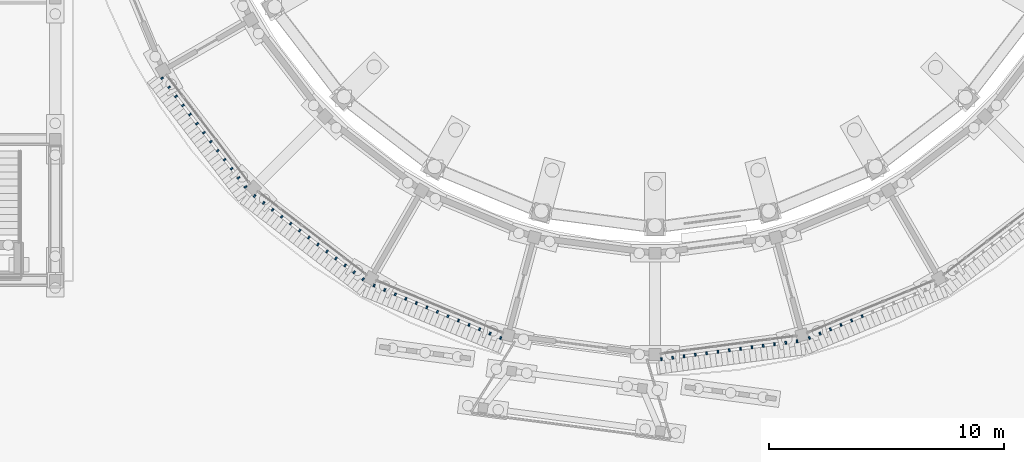
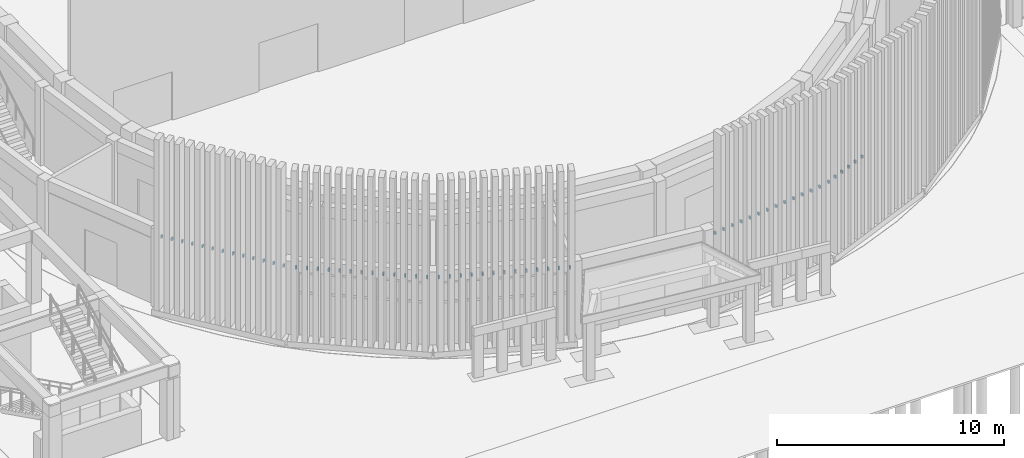
# One storey, part 82 of 112: 58 discrete accessories.
"""IFC4 building model written with IfcOpenShell, lengths in metres."""

from ifc_helpers import new_model, si_unit, direction, frame, origin, origin_2d, place, context, subcontext, project, spatial, rectangle, extrude, material, type_object, element, save


model = new_model("IFC4")

# Units and contexts
model_context = context("Model", 3, precision=1e-05, world=origin(), true_north=direction((0.0, 1.0)))
body_context = subcontext(model_context, "Body", "Model", "MODEL_VIEW")
ifc_project = project(units=[si_unit("LENGTHUNIT", "METRE"), si_unit("AREAUNIT", "SQUARE_METRE"), si_unit("VOLUMEUNIT", "CUBIC_METRE"), si_unit("PLANEANGLEUNIT", "RADIAN"), si_unit("MASSUNIT", "GRAM", prefix="KILO")], contexts=[model_context])

# Site, building, storey
site_placement = place(None, origin())
site = spatial("IfcSite", under=ifc_project, at=site_placement, CompositionType="ELEMENT")
building_placement = place(site_placement, origin())
building = spatial("IfcBuilding", under=site, at=building_placement, Name="Wasatch Bagh Community Centre", CompositionType="ELEMENT")
storey_placement = place(building_placement, origin())
storey = spatial("IfcBuildingStorey", under=building, at=storey_placement, Name="L00", CompositionType="ELEMENT", Elevation=0.0)

# Discrete accessories
ifc_material = material(Name="ASTM A36 steel", Category="steel")
discrete_accessory_type = type_object("IfcDiscreteAccessoryType", Name="Drum fin bracket", PredefinedType="BRACKET", material=ifc_material)
for number, where, z_axis, x_axis, name in (
    (1, (15.046630859375, 22.589599609375, 3.824951171875), (0.0, 0.0, 1.0), (0.608761429009, -0.793353340291, 0.0), "Fin bracket 3.1.1"),
    (2, (15.341796875, 22.204833984375, 3.824951171875), (0.0, 0.0, 1.0), (0.608761429009, -0.793353340291, 0.0), "Fin bracket 3.2.1"),
    (3, (15.63720703125, 21.820068359375, 3.824951171875), (0.0, 0.0, 1.0), (0.608761429009, -0.793353340291, 0.0), "Fin bracket 3.3.1"),
    (4, (15.932373046875, 21.435302734375, 3.824951171875), (0.0, 0.0, 1.0), (0.608761429009, -0.793353340291, 0.0), "Fin bracket 3.4.1"),
    (5, (16.2275390625, 21.050537109375, 3.824951171875), (0.0, 0.0, 1.0), (0.608761429009, -0.793353340291, 0.0), "Fin bracket 3.5.1"),
    (6, (16.522705078125, 20.665771484375, 3.824951171875), (0.0, 0.0, 1.0), (0.608761429009, -0.793353340291, 0.0), "Fin bracket 3.6.1"),
    (7, (16.81787109375, 20.281005859375, 3.824951171875), (0.0, 0.0, 1.0), (0.608761429009, -0.793353340291, 0.0), "Fin bracket 3.7.1"),
    (8, (17.11328125, 19.896484375, 3.824951171875), (0.0, 0.0, 1.0), (0.608761429009, -0.793353340291, 0.0), "Fin bracket 3.8.1"),
    (9, (17.408447265625, 19.51171875, 3.824951171875), (0.0, 0.0, 1.0), (0.608761429009, -0.793353340291, 0.0), "Fin bracket 3.9.1"),
    (10, (17.70361328125, 19.126953125, 3.824951171875), (0.0, 0.0, 1.0), (0.608761429009, -0.793353340291, 0.0), "Fin bracket 3.10.1"),
    (11, (17.998779296875, 18.7421875, 3.824951171875), (0.0, 0.0, 1.0), (0.608761429009, -0.793353340291, 0.0), "Fin bracket 3.11.1"),
    (12, (18.294189453125, 18.357421875, 3.824951171875), (0.0, 0.0, 1.0), (0.608761429009, -0.793353340291, 0.0), "Fin bracket 3.12.1"),
    (13, (18.58935546875, 17.97265625, 3.824951171875), (0.0, 0.0, 1.0), (0.608761429009, -0.793353340291, 0.0), "Fin bracket 3.13.1"),
    (14, (18.97265625, 17.58935546875, 3.824951171875), (0.0, 0.0, 1.0), (0.793353340291, -0.608761429009, 0.0), "Fin bracket 4.1.1"),
    (15, (19.357421875, 17.294189453125, 3.824951171875), (0.0, 0.0, 1.0), (0.793353340291, -0.608761429009, 0.0), "Fin bracket 4.2.1"),
    (16, (19.7421875, 16.998779296875, 3.824951171875), (0.0, 0.0, 1.0), (0.793353340291, -0.608761429009, 0.0), "Fin bracket 4.3.1"),
    (17, (20.126953125, 16.70361328125, 3.824951171875), (0.0, 0.0, 1.0), (0.793353340291, -0.608761429009, 0.0), "Fin bracket 4.4.1"),
    (18, (20.51171875, 16.408447265625, 3.824951171875), (0.0, 0.0, 1.0), (0.793353340291, -0.608761429009, 0.0), "Fin bracket 4.5.1"),
    (19, (20.896484375, 16.11328125, 3.824951171875), (0.0, 0.0, 1.0), (0.793353340291, -0.608761429009, 0.0), "Fin bracket 4.6.1"),
    (20, (21.281005859375, 15.81787109375, 3.824951171875), (0.0, 0.0, 1.0), (0.793353340291, -0.608761429009, 0.0), "Fin bracket 4.7.1"),
    (21, (21.665771484375, 15.522705078125, 3.824951171875), (0.0, 0.0, 1.0), (0.793353340291, -0.608761429009, 0.0), "Fin bracket 4.8.1"),
    (22, (22.050537109375, 15.2275390625, 3.824951171875), (0.0, 0.0, 1.0), (0.793353340291, -0.608761429009, 0.0), "Fin bracket 4.9.1"),
    (23, (22.435302734375, 14.932373046875, 3.824951171875), (0.0, 0.0, 1.0), (0.793353340291, -0.608761429009, 0.0), "Fin bracket 4.10.1"),
    (24, (22.820068359375, 14.63720703125, 3.824951171875), (0.0, 0.0, 1.0), (0.793353340291, -0.608761429009, 0.0), "Fin bracket 4.11.1"),
    (25, (23.204833984375, 14.341796875, 3.824951171875), (0.0, 0.0, 1.0), (0.793353340291, -0.608761429009, 0.0), "Fin bracket 4.12.1"),
    (26, (23.589599609375, 14.046630859375, 3.824951171875), (0.0, 0.0, 1.0), (0.793353340291, -0.608761429009, 0.0), "Fin bracket 4.13.1"),
    (27, (24.05908203125, 13.775634765625, 3.824951171875), (0.0, 0.0, 1.0), (0.923879532511, -0.382683432365, 0.0), "Fin bracket 5.1.1"),
    (28, (24.507080078125, 13.590087890625, 3.824951171875), (0.0, 0.0, 1.0), (0.923879532511, -0.382683432365, 0.0), "Fin bracket 5.2.1"),
    (29, (24.955078125, 13.404296875, 3.824951171875), (0.0, 0.0, 1.0), (0.923879532511, -0.382683432365, 0.0), "Fin bracket 5.3.1"),
    (30, (25.4033203125, 13.21875, 3.824951171875), (0.0, 0.0, 1.0), (0.923879532511, -0.382683432365, 0.0), "Fin bracket 5.4.1"),
    (31, (25.851318359375, 13.033203125, 3.824951171875), (0.0, 0.0, 1.0), (0.923879532511, -0.382683432365, 0.0), "Fin bracket 5.5.1"),
    (32, (26.29931640625, 12.84765625, 3.824951171875), (0.0, 0.0, 1.0), (0.923879532511, -0.382683432365, 0.0), "Fin bracket 5.6.1"),
    (33, (26.747314453125, 12.662109375, 3.824951171875), (0.0, 0.0, 1.0), (0.923879532511, -0.382683432365, 0.0), "Fin bracket 5.7.1"),
    (34, (27.1953125, 12.4765625, 3.824951171875), (0.0, 0.0, 1.0), (0.923879532511, -0.382683432365, 0.0), "Fin bracket 5.8.1"),
    (35, (27.643310546875, 12.291015625, 3.824951171875), (0.0, 0.0, 1.0), (0.923879532511, -0.382683432365, 0.0), "Fin bracket 5.9.1"),
    (36, (28.091552734375, 12.105224609375, 3.824951171875), (0.0, 0.0, 1.0), (0.923879532511, -0.382683432365, 0.0), "Fin bracket 5.10.1"),
    (37, (28.53955078125, 11.919677734375, 3.824951171875), (0.0, 0.0, 1.0), (0.923879532511, -0.382683432365, 0.0), "Fin bracket 5.11.1"),
    (38, (28.987548828125, 11.734130859375, 3.824951171875), (0.0, 0.0, 1.0), (0.923879532511, -0.382683432365, 0.0), "Fin bracket 5.12.1"),
    (39, (29.435546875, 11.548583984375, 3.824951171875), (0.0, 0.0, 1.0), (0.923879532511, -0.382683432365, 0.0), "Fin bracket 5.13.1"),
    (40, (36.27099609375, 10.648681640625, 3.824951171875), (0.0, 0.0, 1.0), (0.991444861374, 0.13052619222, 0.0), "Fin bracket 7.1.1"),
    (41, (36.751953125, 10.7119140625, 3.824951171875), (0.0, 0.0, 1.0), (0.991444861374, 0.13052619222, 0.0), "Fin bracket 7.2.1"),
    (42, (37.232666015625, 10.775146484375, 3.824951171875), (0.0, 0.0, 1.0), (0.991444861374, 0.13052619222, 0.0), "Fin bracket 7.3.1"),
    (43, (37.71337890625, 10.838623046875, 3.824951171875), (0.0, 0.0, 1.0), (0.991444861374, 0.13052619222, 0.0), "Fin bracket 7.4.1"),
    (44, (38.1943359375, 10.90185546875, 3.824951171875), (0.0, 0.0, 1.0), (0.991444861374, 0.13052619222, 0.0), "Fin bracket 7.5.1"),
    (45, (38.675048828125, 10.965087890625, 3.824951171875), (0.0, 0.0, 1.0), (0.991444861374, 0.13052619222, 0.0), "Fin bracket 7.6.1"),
    (46, (39.156005859375, 11.028564453125, 3.824951171875), (0.0, 0.0, 1.0), (0.991444861374, 0.13052619222, 0.0), "Fin bracket 7.7.1"),
    (47, (39.63671875, 11.091796875, 3.824951171875), (0.0, 0.0, 1.0), (0.991444861374, 0.13052619222, 0.0), "Fin bracket 7.8.1"),
    (48, (40.117431640625, 11.155029296875, 3.824951171875), (0.0, 0.0, 1.0), (0.991444861374, 0.13052619222, 0.0), "Fin bracket 7.9.1"),
    (49, (40.598388671875, 11.21826171875, 3.824951171875), (0.0, 0.0, 1.0), (0.991444861374, 0.13052619222, 0.0), "Fin bracket 7.10.1"),
    (50, (41.0791015625, 11.28173828125, 3.824951171875), (0.0, 0.0, 1.0), (0.991444861374, 0.13052619222, 0.0), "Fin bracket 7.11.1"),
    (51, (41.56005859375, 11.344970703125, 3.824951171875), (0.0, 0.0, 1.0), (0.991444861374, 0.13052619222, 0.0), "Fin bracket 7.12.1"),
    (52, (42.040771484375, 11.408203125, 3.824951171875), (0.0, 0.0, 1.0), (0.991444861374, 0.13052619222, 0.0), "Fin bracket 7.13.1"),
    (53, (42.564453125, 11.548583984375, 3.824951171875), (0.0, 0.0, 1.0), (0.923879532511, 0.382683432365, 0.0), "Fin bracket 8.1.1"),
    (54, (43.012451171875, 11.734130859375, 3.824951171875), (0.0, 0.0, 1.0), (0.923879532511, 0.382683432365, 0.0), "Fin bracket 8.2.1"),
    (55, (43.46044921875, 11.919677734375, 3.824951171875), (0.0, 0.0, 1.0), (0.923879532511, 0.382683432365, 0.0), "Fin bracket 8.3.1"),
    (56, (43.908447265625, 12.105224609375, 3.824951171875), (0.0, 0.0, 1.0), (0.923879532511, 0.382683432365, 0.0), "Fin bracket 8.4.1"),
    (57, (44.356689453125, 12.291015625, 3.824951171875), (0.0, 0.0, 1.0), (0.923879532511, 0.382683432365, 0.0), "Fin bracket 8.5.1"),
    (58, (44.8046875, 12.4765625, 3.824951171875), (0.0, 0.0, 1.0), (0.923879532511, 0.382683432365, 0.0), "Fin bracket 8.6.1"),
):
    element("IfcDiscreteAccessory", number, at=place(storey_placement, frame(where, z_axis=z_axis, x_axis=x_axis)), inside=storey, type_object=discrete_accessory_type, Name=name, PredefinedType="BRACKET", context=body_context, shape_type="SweptSolid", body=[
        extrude(rectangle(XDim=0.070068359375, YDim=0.1201171875, at=origin_2d()), origin(), (0.0, 0.0, 1.0), 0.14990234375),
    ])

save(model, "model.ifc")
